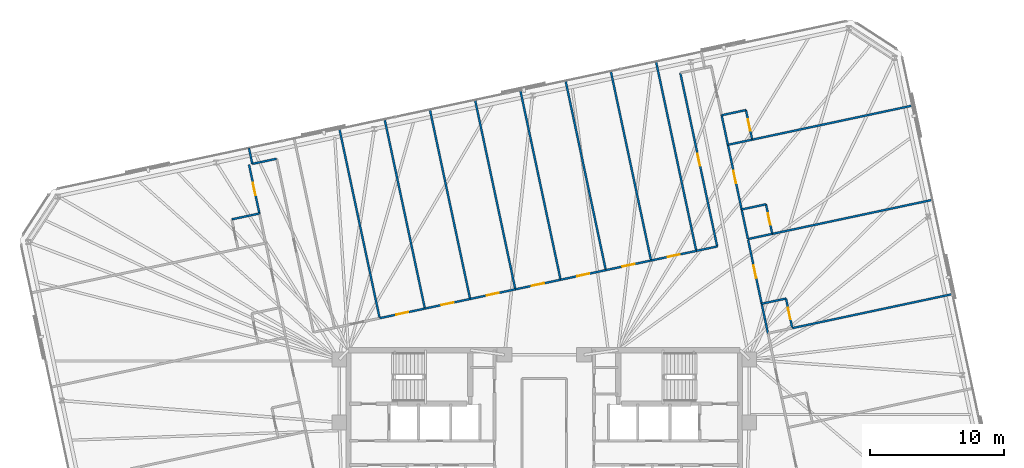
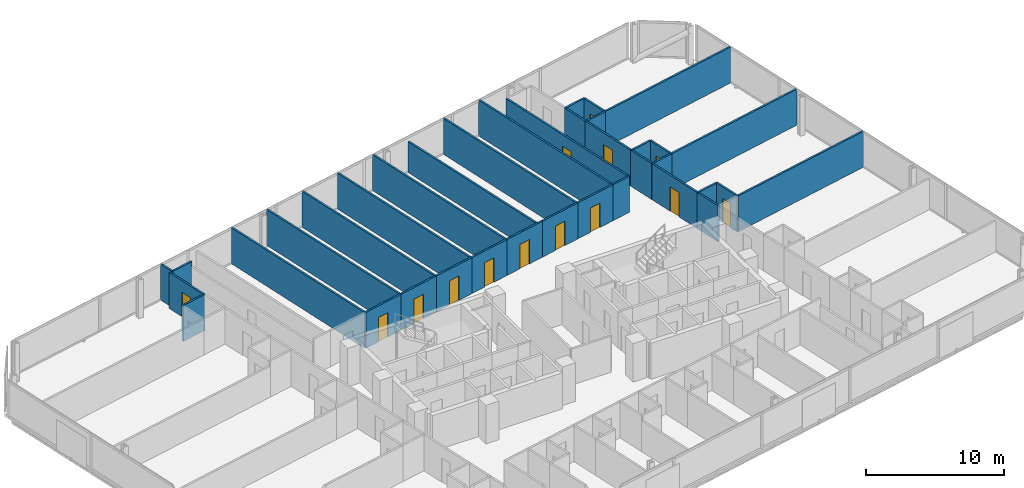
# One storey, part 18 of 21: 37 walls, 14 doors, 14 openings.
"""IFC4 building model written with IfcOpenShell, lengths in metres."""

from ifc_helpers import new_model, si_unit, direction, frame, frame_2d, origin, place, context, subcontext, project, spatial, rectangle, extrude, material, layer, layer_set, type_object, element, fill, save


model = new_model("IFC4")

# Units and contexts
model_context = context("Model", 3, precision=1e-05, world=origin(), true_north=direction((0.0, 1.0)))
body_context = subcontext(model_context, "Body", "Model", "MODEL_VIEW")
ifc_project = project(units=[si_unit("LENGTHUNIT", "METRE"), si_unit("AREAUNIT", "SQUARE_METRE"), si_unit("VOLUMEUNIT", "CUBIC_METRE"), si_unit("PLANEANGLEUNIT", "RADIAN"), si_unit("MASSUNIT", "GRAM", prefix="KILO")], contexts=[model_context])

# Site, building, storey
site_placement = place(None, origin())
site = spatial("IfcSite", under=ifc_project, at=site_placement, CompositionType="ELEMENT")
building_placement = place(site_placement, origin())
building = spatial("IfcBuilding", under=site, at=building_placement, Name="Menara Jurai Vektor", CompositionType="ELEMENT")
storey_placement = place(building_placement, frame((0.0, 0.0, 168.39990234375)))
storey = spatial("IfcBuildingStorey", under=building, at=storey_placement, Name="L43", CompositionType="ELEMENT", Elevation=168.39990234375)

# Wall
ifc_material_1 = material(Name="Gypsum Fireboard Partition", Category="gypsum")
ifc_layer_1 = layer(ifc_material_1, 0.14990234375)
ifc_layer_set_1 = layer_set([ifc_layer_1], Name="Gypsum Fireboard Partition")
wall_type_1 = type_object("IfcWallType", Name="INT-WALL-CORR-150", PredefinedType="PARTITIONING", material=ifc_layer_set_1)
wall_1_placement = place(storey_placement, frame((-21.71533203125, 19.447998046875, 0.0), z_axis=(0.0, 0.0, 1.0), x_axis=(0.978160192495, 0.207852442415, 0.0)))
element("IfcWall", 1, at=wall_1_placement, inside=storey, type_object=wall_type_1, Name="Interior Wall IW-150 L43", PredefinedType="PARTITIONING", context=body_context, shape_type="SweptSolid", body=[
    extrude(rectangle(XDim=1.849853515625, YDim=0.14990234375, at=frame_2d((0.9248046875, 0.0))), origin(), (0.0, 0.0, 1.0), 3.175048828125),
])

# Wall, opening, door
wall_2_placement = place(storey_placement, frame((-12.243408203125, 7.971435546875, 0.0), z_axis=(0.0, 0.0, 1.0), x_axis=(0.978144956759, 0.207924129352, 0.0)))
wall_2 = element("IfcWall", 2, at=wall_2_placement, inside=storey, type_object=wall_type_1, Name="Interior Wall IW-150 L43", PredefinedType="PARTITIONING", context=body_context, shape_type="SweptSolid", body=[
    extrude(rectangle(XDim=3.439208984375, YDim=0.14990234375, at=frame_2d((1.7197265625, 0.0))), origin(), (0.0, 0.0, 1.0), 3.175048828125),
])
opening_1_placement = place(wall_2_placement, frame((1.259521484375, 0.0, 0.0)))
opening_1 = element("IfcOpeningElement", 3, at=opening_1_placement, cuts=wall_2, Name="Opening D43-09", PredefinedType="OPENING", context=body_context, shape_type="SweptSolid", body=[
    extrude(rectangle(XDim=0.919921875, YDim=2.14990234375, at=frame_2d((0.4599609375, 1.074951171875))), frame((0.0, 0.0849609375, 0.0), z_axis=(0.0, -1.0, 0.0), x_axis=(1.0, 0.0, 0.0)), (0.0, 0.0, 1.0), 0.169921875),
])
ifc_material_2 = material(Name="Solid Core Timber Fire Door", Category="wood")
door_type_1 = type_object("IfcDoorType", Name="DR-ENTRY-950", OperationType="NOTDEFINED", PredefinedType="DOOR", material=ifc_material_2)
door_1_placement = place(opening_1_placement, origin())
door_1 = element("IfcDoor", 4, at=door_1_placement, inside=storey, type_object=door_type_1, Name="Interior Door D43-09", OperationType="SINGLE_SWING_RIGHT", OverallHeight=2.14990234375, OverallWidth=0.919921875, PredefinedType="DOOR", context=body_context, shape_type="SweptSolid", body=[
    extrude(rectangle(XDim=0.919921875, YDim=2.14990234375, at=frame_2d((0.4599609375, 1.074951171875))), frame((0.0, 0.02490234375, 0.0), z_axis=(0.0, -1.0, 0.0), x_axis=(1.0, 0.0, 0.0)), (0.0, 0.0, 1.0), 0.050048828125),
])
fill(opening_1, door_1)

wall_3_placement = place(storey_placement, frame((-8.87939453125, 8.6865234375, 0.0), z_axis=(0.0, 0.0, 1.0), x_axis=(0.978154160849, 0.207880825506, 0.0)))
wall_3 = element("IfcWall", 5, at=wall_3_placement, inside=storey, type_object=wall_type_1, Name="Interior Wall IW-150 L43", PredefinedType="PARTITIONING", context=body_context, shape_type="SweptSolid", body=[
    extrude(rectangle(XDim=3.43994140625, YDim=0.14990234375, at=frame_2d((1.719970703125, 0.0))), origin(), (0.0, 0.0, 1.0), 3.175048828125),
])
opening_2_placement = place(wall_3_placement, frame((1.260009765625, 0.0, 0.0)))
opening_2 = element("IfcOpeningElement", 6, at=opening_2_placement, cuts=wall_3, Name="Opening D43-10", PredefinedType="OPENING", context=body_context, shape_type="SweptSolid", body=[
    extrude(rectangle(XDim=0.919921875, YDim=2.14990234375, at=frame_2d((0.4599609375, 1.074951171875))), frame((0.0, 0.0849609375, 0.0), z_axis=(0.0, -1.0, 0.0), x_axis=(1.0, 0.0, 0.0)), (0.0, 0.0, 1.0), 0.169921875),
])
door_2_placement = place(opening_2_placement, origin())
door_2 = element("IfcDoor", 7, at=door_2_placement, inside=storey, type_object=door_type_1, Name="Interior Door D43-10", OperationType="SINGLE_SWING_LEFT", OverallHeight=2.14990234375, OverallWidth=0.919921875, PredefinedType="DOOR", context=body_context, shape_type="SweptSolid", body=[
    extrude(rectangle(XDim=0.919921875, YDim=2.14990234375, at=frame_2d((0.4599609375, 1.074951171875))), frame((0.0, 0.02490234375, 0.0), z_axis=(0.0, -1.0, 0.0), x_axis=(1.0, 0.0, 0.0)), (0.0, 0.0, 1.0), 0.050048828125),
])
fill(opening_2, door_2)

wall_4_placement = place(storey_placement, frame((-5.5146484375, 9.401611328125, 0.0), z_axis=(0.0, 0.0, 1.0), x_axis=(0.978141887451, 0.207938567887, 0.0)))
wall_4 = element("IfcWall", 8, at=wall_4_placement, inside=storey, type_object=wall_type_1, Name="Interior Wall IW-150 L43", PredefinedType="PARTITIONING", context=body_context, shape_type="SweptSolid", body=[
    extrude(rectangle(XDim=3.43896484375, YDim=0.14990234375, at=frame_2d((1.719482421875, 0.0))), origin(), (0.0, 0.0, 1.0), 3.175048828125),
])
opening_3_placement = place(wall_4_placement, frame((1.259521484375, 0.0, 0.0)))
opening_3 = element("IfcOpeningElement", 9, at=opening_3_placement, cuts=wall_4, Name="Opening D43-11", PredefinedType="OPENING", context=body_context, shape_type="SweptSolid", body=[
    extrude(rectangle(XDim=0.919921875, YDim=2.14990234375, at=frame_2d((0.4599609375, 1.074951171875))), frame((0.0, 0.0849609375, 0.0), z_axis=(0.0, -1.0, 0.0), x_axis=(1.0, 0.0, 0.0)), (0.0, 0.0, 1.0), 0.169921875),
])
door_3_placement = place(opening_3_placement, origin())
door_3 = element("IfcDoor", 10, at=door_3_placement, inside=storey, type_object=door_type_1, Name="Interior Door D43-11", OperationType="SINGLE_SWING_RIGHT", OverallHeight=2.14990234375, OverallWidth=0.919921875, PredefinedType="DOOR", context=body_context, shape_type="SweptSolid", body=[
    extrude(rectangle(XDim=0.919921875, YDim=2.14990234375, at=frame_2d((0.4599609375, 1.074951171875))), frame((0.0, 0.02490234375, 0.0), z_axis=(0.0, -1.0, 0.0), x_axis=(1.0, 0.0, 0.0)), (0.0, 0.0, 1.0), 0.050048828125),
])
fill(opening_3, door_3)

wall_5_placement = place(storey_placement, frame((-2.15087890625, 10.11669921875, 0.0), z_axis=(0.0, 0.0, 1.0), x_axis=(0.978157227602, 0.207866394808, 0.0)))
wall_5 = element("IfcWall", 11, at=wall_5_placement, inside=storey, type_object=wall_type_1, Name="Interior Wall IW-150 L43", PredefinedType="PARTITIONING", context=body_context, shape_type="SweptSolid", body=[
    extrude(rectangle(XDim=3.440185546875, YDim=0.14990234375, at=frame_2d((1.72021484375, 0.0))), origin(), (0.0, 0.0, 1.0), 3.175048828125),
])
opening_4_placement = place(wall_5_placement, frame((1.260009765625, 0.0, 0.0)))
opening_4 = element("IfcOpeningElement", 12, at=opening_4_placement, cuts=wall_5, Name="Opening D43-12", PredefinedType="OPENING", context=body_context, shape_type="SweptSolid", body=[
    extrude(rectangle(XDim=0.919921875, YDim=2.14990234375, at=frame_2d((0.4599609375, 1.074951171875))), frame((0.0, 0.0849609375, 0.0), z_axis=(0.0, -1.0, 0.0), x_axis=(1.0, 0.0, 0.0)), (0.0, 0.0, 1.0), 0.169921875),
])
door_4_placement = place(opening_4_placement, origin())
door_4 = element("IfcDoor", 13, at=door_4_placement, inside=storey, type_object=door_type_1, Name="Interior Door D43-12", OperationType="SINGLE_SWING_LEFT", OverallHeight=2.14990234375, OverallWidth=0.919921875, PredefinedType="DOOR", context=body_context, shape_type="SweptSolid", body=[
    extrude(rectangle(XDim=0.919921875, YDim=2.14990234375, at=frame_2d((0.4599609375, 1.074951171875))), frame((0.0, 0.02490234375, 0.0), z_axis=(0.0, -1.0, 0.0), x_axis=(1.0, 0.0, 0.0)), (0.0, 0.0, 1.0), 0.050048828125),
])
fill(opening_4, door_4)

wall_6_placement = place(storey_placement, frame((1.214111328125, 10.831787109375, 0.0), z_axis=(0.0, 0.0, 1.0), x_axis=(0.978141887451, 0.207938567887, 0.0)))
wall_6 = element("IfcWall", 14, at=wall_6_placement, inside=storey, type_object=wall_type_1, Name="Interior Wall IW-150 L43", PredefinedType="PARTITIONING", context=body_context, shape_type="SweptSolid", body=[
    extrude(rectangle(XDim=3.43896484375, YDim=0.14990234375, at=frame_2d((1.719482421875, 0.0))), origin(), (0.0, 0.0, 1.0), 3.175048828125),
])
opening_5_placement = place(wall_6_placement, frame((1.259521484375, 0.0, 0.0)))
opening_5 = element("IfcOpeningElement", 15, at=opening_5_placement, cuts=wall_6, Name="Opening D43-13", PredefinedType="OPENING", context=body_context, shape_type="SweptSolid", body=[
    extrude(rectangle(XDim=0.919921875, YDim=2.14990234375, at=frame_2d((0.4599609375, 1.074951171875))), frame((0.0, 0.0849609375, 0.0), z_axis=(0.0, -1.0, 0.0), x_axis=(1.0, 0.0, 0.0)), (0.0, 0.0, 1.0), 0.169921875),
])
door_5_placement = place(opening_5_placement, origin())
door_5 = element("IfcDoor", 16, at=door_5_placement, inside=storey, type_object=door_type_1, Name="Interior Door D43-13", OperationType="SINGLE_SWING_RIGHT", OverallHeight=2.14990234375, OverallWidth=0.919921875, PredefinedType="DOOR", context=body_context, shape_type="SweptSolid", body=[
    extrude(rectangle(XDim=0.919921875, YDim=2.14990234375, at=frame_2d((0.4599609375, 1.074951171875))), frame((0.0, 0.02490234375, 0.0), z_axis=(0.0, -1.0, 0.0), x_axis=(1.0, 0.0, 0.0)), (0.0, 0.0, 1.0), 0.050048828125),
])
fill(opening_5, door_5)

wall_7_placement = place(storey_placement, frame((4.577880859375, 11.546875, 0.0), z_axis=(0.0, 0.0, 1.0), x_axis=(0.978139727028, 0.207948730242, 0.0)))
wall_7 = element("IfcWall", 17, at=wall_7_placement, inside=storey, type_object=wall_type_1, Name="Interior Wall IW-150 L43", PredefinedType="PARTITIONING", context=body_context, shape_type="SweptSolid", body=[
    extrude(rectangle(XDim=3.43994140625, YDim=0.14990234375, at=frame_2d((1.719970703125, 0.0))), origin(), (0.0, 0.0, 1.0), 3.175048828125),
])
opening_6_placement = place(wall_7_placement, frame((1.260009765625, 0.0, 0.0)))
opening_6 = element("IfcOpeningElement", 18, at=opening_6_placement, cuts=wall_7, Name="Opening D43-14", PredefinedType="OPENING", context=body_context, shape_type="SweptSolid", body=[
    extrude(rectangle(XDim=0.919921875, YDim=2.14990234375, at=frame_2d((0.4599609375, 1.074951171875))), frame((0.0, 0.0849609375, 0.0), z_axis=(0.0, -1.0, 0.0), x_axis=(1.0, 0.0, 0.0)), (0.0, 0.0, 1.0), 0.169921875),
])
door_6_placement = place(opening_6_placement, origin())
door_6 = element("IfcDoor", 19, at=door_6_placement, inside=storey, type_object=door_type_1, Name="Interior Door D43-14", OperationType="SINGLE_SWING_LEFT", OverallHeight=2.14990234375, OverallWidth=0.919921875, PredefinedType="DOOR", context=body_context, shape_type="SweptSolid", body=[
    extrude(rectangle(XDim=0.919921875, YDim=2.14990234375, at=frame_2d((0.4599609375, 1.074951171875))), frame((0.0, 0.02490234375, 0.0), z_axis=(0.0, -1.0, 0.0), x_axis=(1.0, 0.0, 0.0)), (0.0, 0.0, 1.0), 0.050048828125),
])
fill(opening_6, door_6)

wall_8_placement = place(storey_placement, frame((7.942626953125, 12.26220703125, 0.0), z_axis=(0.0, 0.0, 1.0), x_axis=(0.978144956759, 0.207924129352, 0.0)))
wall_8 = element("IfcWall", 20, at=wall_8_placement, inside=storey, type_object=wall_type_1, Name="Interior Wall IW-150 L43", PredefinedType="PARTITIONING", context=body_context, shape_type="SweptSolid", body=[
    extrude(rectangle(XDim=3.439208984375, YDim=0.14990234375, at=frame_2d((1.7197265625, 0.0))), origin(), (0.0, 0.0, 1.0), 3.175048828125),
])
opening_7_placement = place(wall_8_placement, frame((1.259521484375, 0.0, 0.0)))
opening_7 = element("IfcOpeningElement", 21, at=opening_7_placement, cuts=wall_8, Name="Opening D43-15", PredefinedType="OPENING", context=body_context, shape_type="SweptSolid", body=[
    extrude(rectangle(XDim=0.919921875, YDim=2.14990234375, at=frame_2d((0.4599609375, 1.074951171875))), frame((0.0, 0.0849609375, 0.0), z_axis=(0.0, -1.0, 0.0), x_axis=(1.0, 0.0, 0.0)), (0.0, 0.0, 1.0), 0.169921875),
])
door_7_placement = place(opening_7_placement, origin())
door_7 = element("IfcDoor", 22, at=door_7_placement, inside=storey, type_object=door_type_1, Name="Interior Door D43-15", OperationType="SINGLE_SWING_RIGHT", OverallHeight=2.14990234375, OverallWidth=0.919921875, PredefinedType="DOOR", context=body_context, shape_type="SweptSolid", body=[
    extrude(rectangle(XDim=0.919921875, YDim=2.14990234375, at=frame_2d((0.4599609375, 1.074951171875))), frame((0.0, 0.02490234375, 0.0), z_axis=(0.0, -1.0, 0.0), x_axis=(1.0, 0.0, 0.0)), (0.0, 0.0, 1.0), 0.050048828125),
])
fill(opening_7, door_7)

# Wall
wall_9_placement = place(storey_placement, frame((11.306640625, 12.977294921875, 0.0), z_axis=(0.0, 0.0, 1.0), x_axis=(0.97817836016, 0.20776692642, 0.0)))
element("IfcWall", 23, at=wall_9_placement, inside=storey, type_object=wall_type_1, Name="Interior Wall IW-150 L43", PredefinedType="PARTITIONING", context=body_context, shape_type="SweptSolid", body=[
    extrude(rectangle(XDim=1.58984375, YDim=0.14990234375, at=frame_2d((0.794921875, 0.0))), origin(), (0.0, 0.0, 1.0), 3.175048828125),
])

# Wall, opening, door
wall_10_placement = place(storey_placement, frame((12.86181640625, 13.3076171875, 0.0), z_axis=(0.0, 0.0, 1.0), x_axis=(-0.207911421929, 0.978147657888, 0.0)))
wall_10 = element("IfcWall", 24, at=wall_10_placement, inside=storey, type_object=wall_type_1, Name="Interior Wall IW-150 L43", PredefinedType="PARTITIONING", context=body_context, shape_type="SweptSolid", body=[
    extrude(rectangle(XDim=13.195068359375, YDim=0.14990234375, at=frame_2d((6.59765625, 0.0))), origin(), (0.0, 0.0, 1.0), 3.175048828125),
])
opening_8_placement = place(wall_10_placement, frame((6.137451171875, 0.0, 0.0)))
opening_8 = element("IfcOpeningElement", 25, at=opening_8_placement, cuts=wall_10, Name="Opening D43-16", PredefinedType="OPENING", context=body_context, shape_type="SweptSolid", body=[
    extrude(rectangle(XDim=0.919921875, YDim=2.14990234375, at=frame_2d((0.4599609375, 1.074951171875))), frame((0.0, 0.0849609375, 0.0), z_axis=(0.0, -1.0, 0.0), x_axis=(1.0, 0.0, 0.0)), (0.0, 0.0, 1.0), 0.169921875),
])
door_8_placement = place(opening_8_placement, origin())
door_8 = element("IfcDoor", 26, at=door_8_placement, inside=storey, type_object=door_type_1, Name="Interior Door D43-16", OperationType="SINGLE_SWING_LEFT", OverallHeight=2.14990234375, OverallWidth=0.919921875, PredefinedType="DOOR", context=body_context, shape_type="SweptSolid", body=[
    extrude(rectangle(XDim=0.919921875, YDim=2.14990234375, at=frame_2d((0.4599609375, 1.074951171875))), frame((0.0, 0.02490234375, 0.0), z_axis=(0.0, -1.0, 0.0), x_axis=(1.0, 0.0, 0.0)), (0.0, 0.0, 1.0), 0.050048828125),
])
fill(opening_8, door_8)

wall_11_placement = place(storey_placement, frame((-21.18701171875, 15.76025390625, 0.0), z_axis=(0.0, 0.0, 1.0), x_axis=(-0.207949879289, 0.978139482745, 0.0)))
wall_11 = element("IfcWall", 27, at=wall_11_placement, inside=storey, type_object=wall_type_1, Name="Interior Wall IW-150 L43", PredefinedType="PARTITIONING", context=body_context, shape_type="SweptSolid", body=[
    extrude(rectangle(XDim=3.717041015625, YDim=0.14990234375, at=frame_2d((1.8583984375, 0.0))), origin(), (0.0, 0.0, 1.0), 3.175048828125),
])
opening_9_placement = place(wall_11_placement, frame((1.383544921875, 0.0, 0.0)))
opening_9 = element("IfcOpeningElement", 28, at=opening_9_placement, cuts=wall_11, Name="Opening D43-40", PredefinedType="OPENING", context=body_context, shape_type="SweptSolid", body=[
    extrude(rectangle(XDim=0.949951171875, YDim=2.14990234375, at=frame_2d((0.47509765625, 1.074951171875))), frame((0.0, 0.0849609375, 0.0), z_axis=(0.0, -1.0, 0.0), x_axis=(1.0, 0.0, 0.0)), (0.0, 0.0, 1.0), 0.169921875),
])
door_9_placement = place(opening_9_placement, origin())
door_9 = element("IfcDoor", 29, at=door_9_placement, inside=storey, type_object=door_type_1, Name="Interior Door D43-40", OperationType="SINGLE_SWING_LEFT", OverallHeight=2.14990234375, OverallWidth=0.949951171875, PredefinedType="DOOR", context=body_context, shape_type="SweptSolid", body=[
    extrude(rectangle(XDim=0.949951171875, YDim=2.14990234375, at=frame_2d((0.47509765625, 1.074951171875))), frame((0.0, 0.02490234375, 0.0), z_axis=(0.0, -1.0, 0.0), x_axis=(1.0, 0.0, 0.0)), (0.0, 0.0, 1.0), 0.050048828125),
])
fill(opening_9, door_9)

wall_12_placement = place(storey_placement, frame((16.169921875, 9.04736328125, 0.0), z_axis=(0.0, 0.0, 1.0), x_axis=(-0.20792851832, 0.978144023787, 0.0)))
wall_12 = element("IfcWall", 30, at=wall_12_placement, inside=storey, type_object=wall_type_1, Name="Interior Wall IW-150 L43", PredefinedType="PARTITIONING", context=body_context, shape_type="SweptSolid", body=[
    extrude(rectangle(XDim=4.855224609375, YDim=0.14990234375, at=frame_2d((2.427734375, 0.0))), origin(), (0.0, 0.0, 1.0), 3.175048828125),
])
opening_10_placement = place(wall_12_placement, frame((1.952392578125, 0.0, 0.0)))
opening_10 = element("IfcOpeningElement", 31, at=opening_10_placement, cuts=wall_12, Name="Opening D43-48", PredefinedType="OPENING", context=body_context, shape_type="SweptSolid", body=[
    extrude(rectangle(XDim=0.949951171875, YDim=2.14990234375, at=frame_2d((0.47509765625, 1.074951171875))), frame((0.0, 0.0849609375, 0.0), z_axis=(0.0, -1.0, 0.0), x_axis=(1.0, 0.0, 0.0)), (0.0, 0.0, 1.0), 0.169921875),
])
door_10_placement = place(opening_10_placement, origin())
door_10 = element("IfcDoor", 32, at=door_10_placement, inside=storey, type_object=door_type_1, Name="Interior Door D43-48", OperationType="SINGLE_SWING_LEFT", OverallHeight=2.14990234375, OverallWidth=0.949951171875, PredefinedType="DOOR", context=body_context, shape_type="SweptSolid", body=[
    extrude(rectangle(XDim=0.949951171875, YDim=2.14990234375, at=frame_2d((0.47509765625, 1.074951171875))), frame((0.0, 0.02490234375, 0.0), z_axis=(0.0, -1.0, 0.0), x_axis=(1.0, 0.0, 0.0)), (0.0, 0.0, 1.0), 0.050048828125),
])
fill(opening_10, door_10)

# Wall
wall_13_placement = place(storey_placement, frame((16.6376953125, 6.8466796875, 0.0), z_axis=(0.0, 0.0, 1.0), x_axis=(-0.207913264065, 0.978147266328, 0.0)))
element("IfcWall", 33, at=wall_13_placement, inside=storey, type_object=wall_type_1, Name="Interior Wall IW-150 L43", PredefinedType="PARTITIONING", context=body_context, shape_type="SweptSolid", body=[
    extrude(rectangle(XDim=2.249755859375, YDim=0.14990234375, at=frame_2d((1.125, 0.0))), origin(), (0.0, 0.0, 1.0), 3.175048828125),
])

# Wall, opening, door
wall_14_placement = place(storey_placement, frame((14.6796875, 16.057861328125, 0.0), z_axis=(0.0, 0.0, 1.0), x_axis=(-0.207887265829, 0.978152792107, 0.0)))
wall_14 = element("IfcWall", 34, at=wall_14_placement, inside=storey, type_object=wall_type_1, Name="Interior Wall IW-150 L43", PredefinedType="PARTITIONING", context=body_context, shape_type="SweptSolid", body=[
    extrude(rectangle(XDim=4.916015625, YDim=0.14990234375, at=frame_2d((2.4580078125, 0.0))), origin(), (0.0, 0.0, 1.0), 3.175048828125),
])
opening_11_placement = place(wall_14_placement, frame((1.98291015625, 0.0, 0.0)))
opening_11 = element("IfcOpeningElement", 35, at=opening_11_placement, cuts=wall_14, Name="Opening D43-50", PredefinedType="OPENING", context=body_context, shape_type="SweptSolid", body=[
    extrude(rectangle(XDim=0.949951171875, YDim=2.14990234375, at=frame_2d((0.47509765625, 1.074951171875))), frame((0.0, 0.0849609375, 0.0), z_axis=(0.0, -1.0, 0.0), x_axis=(1.0, 0.0, 0.0)), (0.0, 0.0, 1.0), 0.169921875),
])
door_11_placement = place(opening_11_placement, origin())
door_11 = element("IfcDoor", 36, at=door_11_placement, inside=storey, type_object=door_type_1, Name="Interior Door D43-50", OperationType="SINGLE_SWING_LEFT", OverallHeight=2.14990234375, OverallWidth=0.949951171875, PredefinedType="DOOR", context=body_context, shape_type="SweptSolid", body=[
    extrude(rectangle(XDim=0.949951171875, YDim=2.14990234375, at=frame_2d((0.47509765625, 1.074951171875))), frame((0.0, 0.02490234375, 0.0), z_axis=(0.0, -1.0, 0.0), x_axis=(1.0, 0.0, 0.0)), (0.0, 0.0, 1.0), 0.050048828125),
])
fill(opening_11, door_11)

# Walls
wall_15_placement = place(storey_placement, frame((15.147705078125, 13.85693359375, 0.0), z_axis=(0.0, 0.0, 1.0), x_axis=(-0.207995007687, 0.978129887478, 0.0)))
element("IfcWall", 37, at=wall_15_placement, inside=storey, type_object=wall_type_1, Name="Interior Wall IW-150 L43", PredefinedType="PARTITIONING", context=body_context, shape_type="SweptSolid", body=[
    extrude(rectangle(XDim=2.250244140625, YDim=0.14990234375, at=frame_2d((1.125, 0.0))), origin(), (0.0, 0.0, 1.0), 3.175048828125),
])
wall_16_placement = place(storey_placement, frame((13.65771484375, 20.866455078125, 0.0), z_axis=(0.0, 0.0, 1.0), x_axis=(-0.207913264065, 0.978147266328, 0.0)))
element("IfcWall", 38, at=wall_16_placement, inside=storey, type_object=wall_type_1, Name="Interior Wall IW-150 L43", PredefinedType="PARTITIONING", context=body_context, shape_type="SweptSolid", body=[
    extrude(rectangle(XDim=2.249755859375, YDim=0.14990234375, at=frame_2d((1.125, 0.0))), origin(), (0.0, 0.0, 1.0), 3.175048828125),
])
wall_17_placement = place(storey_placement, frame((-21.71533203125, 19.447998046875, 0.0), z_axis=(0.0, 0.0, 1.0), x_axis=(-0.20795853359, 0.978137642823, 0.0)))
element("IfcWall", 39, at=wall_17_placement, inside=storey, type_object=wall_type_1, Name="Interior Wall IW-150 L43", PredefinedType="PARTITIONING", context=body_context, shape_type="SweptSolid", body=[
    extrude(rectangle(XDim=1.19970703125, YDim=0.14990234375, at=frame_2d((0.599853515625, 0.0))), origin(), (0.0, 0.0, 1.0), 3.175048828125),
])
wall_18_placement = place(storey_placement, frame((-12.243408203125, 7.971435546875, 0.0), z_axis=(0.0, 0.0, 1.0), x_axis=(-0.207895672639, 0.978151005366, 0.0)))
element("IfcWall", 40, at=wall_18_placement, inside=storey, type_object=wall_type_1, Name="Interior Wall IW-150 L43", PredefinedType="PARTITIONING", context=body_context, shape_type="SweptSolid", body=[
    extrude(rectangle(XDim=14.39501953125, YDim=0.14990234375, at=frame_2d((7.197509765625, 0.0))), origin(), (0.0, 0.0, 1.0), 3.175048828125),
])
wall_19_placement = place(storey_placement, frame((-8.87939453125, 8.6865234375, 0.0), z_axis=(0.0, 0.0, 1.0), x_axis=(-0.207915348705, 0.978146823219, 0.0)))
element("IfcWall", 41, at=wall_19_placement, inside=storey, type_object=wall_type_1, Name="Interior Wall IW-150 L43", PredefinedType="PARTITIONING", context=body_context, shape_type="SweptSolid", body=[
    extrude(rectangle(XDim=14.394775390625, YDim=0.14990234375, at=frame_2d((7.197265625, 0.0))), origin(), (0.0, 0.0, 1.0), 3.175048828125),
])
wall_20_placement = place(storey_placement, frame((-5.5146484375, 9.401611328125, 0.0), z_axis=(0.0, 0.0, 1.0), x_axis=(-0.207911899531, 0.97814755637, 0.0)))
element("IfcWall", 42, at=wall_20_placement, inside=storey, type_object=wall_type_1, Name="Interior Wall IW-150 L43", PredefinedType="PARTITIONING", context=body_context, shape_type="SweptSolid", body=[
    extrude(rectangle(XDim=14.39501953125, YDim=0.14990234375, at=frame_2d((7.197509765625, 0.0))), origin(), (0.0, 0.0, 1.0), 3.175048828125),
])
wall_21_placement = place(storey_placement, frame((-2.15087890625, 10.11669921875, 0.0), z_axis=(0.0, 0.0, 1.0), x_axis=(-0.207915348705, 0.978146823219, 0.0)))
element("IfcWall", 43, at=wall_21_placement, inside=storey, type_object=wall_type_1, Name="Interior Wall IW-150 L43", PredefinedType="PARTITIONING", context=body_context, shape_type="SweptSolid", body=[
    extrude(rectangle(XDim=14.394775390625, YDim=0.14990234375, at=frame_2d((7.197265625, 0.0))), origin(), (0.0, 0.0, 1.0), 3.175048828125),
])
wall_22_placement = place(storey_placement, frame((1.214111328125, 10.831787109375, 0.0), z_axis=(0.0, 0.0, 1.0), x_axis=(-0.207911899531, 0.97814755637, 0.0)))
element("IfcWall", 44, at=wall_22_placement, inside=storey, type_object=wall_type_1, Name="Interior Wall IW-150 L43", PredefinedType="PARTITIONING", context=body_context, shape_type="SweptSolid", body=[
    extrude(rectangle(XDim=14.39501953125, YDim=0.14990234375, at=frame_2d((7.197509765625, 0.0))), origin(), (0.0, 0.0, 1.0), 3.175048828125),
])
for number, where, z_axis, x_axis, name in (
    (45, (7.942626953125, 12.26220703125, 0.0), (0.0, 0.0, 1.0), (-0.207915348705, 0.978146823219, 0.0), "Interior Wall IW-150 L43"),
    (46, (11.306640625, 12.977294921875, 0.0), (0.0, 0.0, 1.0), (-0.207915348705, 0.978146823219, 0.0), "Interior Wall IW-150 L43"),
):
    element("IfcWall", number, at=place(storey_placement, frame(where, z_axis=z_axis, x_axis=x_axis)), inside=storey, type_object=wall_type_1, Name=name, PredefinedType="PARTITIONING", context=body_context, shape_type="SweptSolid", body=[
        extrude(rectangle(XDim=14.394775390625, YDim=0.14990234375, at=frame_2d((7.197265625, 0.0))), origin(), (0.0, 0.0, 1.0), 3.175048828125),
    ])
wall_23_placement = place(storey_placement, frame((-23.2412109375, 15.323486328125, 0.0), z_axis=(0.0, 0.0, 1.0), x_axis=(0.978134617382, 0.207972763311, 0.0)))
element("IfcWall", 47, at=wall_23_placement, inside=storey, type_object=wall_type_1, Name="Interior Wall IW-150 L43", PredefinedType="PARTITIONING", context=body_context, shape_type="SweptSolid", body=[
    extrude(rectangle(XDim=2.10009765625, YDim=0.14990234375, at=frame_2d((1.050048828125, 0.0))), origin(), (0.0, 0.0, 1.0), 3.175048828125),
])
wall_24_placement = place(storey_placement, frame((18.447265625, 7.231201171875, 0.0), z_axis=(0.0, 0.0, 1.0), x_axis=(0.978149634612, 0.207902121941, 0.0)))
element("IfcWall", 48, at=wall_24_placement, inside=storey, type_object=wall_type_1, Name="Interior Wall IW-150 L43", PredefinedType="PARTITIONING", context=body_context, shape_type="SweptSolid", body=[
    extrude(rectangle(XDim=12.18701171875, YDim=0.14990234375, at=frame_2d((6.093505859375, 0.0))), origin(), (0.0, 0.0, 1.0), 3.175048828125),
])
wall_25_placement = place(storey_placement, frame((16.169921875, 9.04736328125, 0.0), z_axis=(0.0, 0.0, 1.0), x_axis=(0.978133353907, 0.20797870558, 0.0)))
element("IfcWall", 49, at=wall_25_placement, inside=storey, type_object=wall_type_1, Name="Interior Wall IW-150 L43", PredefinedType="PARTITIONING", context=body_context, shape_type="SweptSolid", body=[
    extrude(rectangle(XDim=1.85009765625, YDim=0.14990234375, at=frame_2d((0.925048828125, 0.0))), origin(), (0.0, 0.0, 1.0), 3.175048828125),
])

# Wall, opening, door
wall_26_placement = place(storey_placement, frame((18.447265625, 7.231201171875, 0.0), z_axis=(0.0, 0.0, 1.0), x_axis=(-0.207891197838, 0.978151956427, 0.0)))
wall_26 = element("IfcWall", 50, at=wall_26_placement, inside=storey, type_object=wall_type_1, Name="Interior Wall IW-150 L43", PredefinedType="PARTITIONING", context=body_context, shape_type="SweptSolid", body=[
    extrude(rectangle(XDim=2.25, YDim=0.14990234375, at=frame_2d((1.125, 0.0))), origin(), (0.0, 0.0, 1.0), 3.175048828125),
])
opening_12_placement = place(wall_26_placement, frame((0.68505859375, 0.0, 0.0)))
opening_12 = element("IfcOpeningElement", 51, at=opening_12_placement, cuts=wall_26, Name="Opening D43-49", PredefinedType="OPENING", context=body_context, shape_type="SweptSolid", body=[
    extrude(rectangle(XDim=0.8798828125, YDim=2.14990234375, at=frame_2d((0.43994140625, 1.074951171875))), frame((0.0, 0.0849609375, 0.0), z_axis=(0.0, -1.0, 0.0), x_axis=(1.0, 0.0, 0.0)), (0.0, 0.0, 1.0), 0.169921875),
])
ifc_material_3 = material(Name="Moisture-Resistant Timber Door", Category="wood")
door_type_2 = type_object("IfcDoorType", Name="DR-BATH-880", OperationType="NOTDEFINED", PredefinedType="DOOR", material=ifc_material_3)
door_12_placement = place(opening_12_placement, origin())
door_12 = element("IfcDoor", 52, at=door_12_placement, inside=storey, type_object=door_type_2, Name="Interior Door D43-49", OperationType="SINGLE_SWING_RIGHT", OverallHeight=2.14990234375, OverallWidth=0.8798828125, PredefinedType="DOOR", context=body_context, shape_type="SweptSolid", body=[
    extrude(rectangle(XDim=0.8798828125, YDim=2.14990234375, at=frame_2d((0.43994140625, 1.074951171875))), frame((0.0, 0.02490234375, 0.0), z_axis=(0.0, -1.0, 0.0), x_axis=(1.0, 0.0, 0.0)), (0.0, 0.0, 1.0), 0.050048828125),
])
fill(opening_12, door_12)

# Walls
wall_27_placement = place(storey_placement, frame((16.957275390625, 14.24169921875, 0.0), z_axis=(0.0, 0.0, 1.0), x_axis=(0.978148768696, 0.207906195911, 0.0)))
element("IfcWall", 53, at=wall_27_placement, inside=storey, type_object=wall_type_1, Name="Interior Wall IW-150 L43", PredefinedType="PARTITIONING", context=body_context, shape_type="SweptSolid", body=[
    extrude(rectangle(XDim=12.186767578125, YDim=0.14990234375, at=frame_2d((6.09326171875, 0.0))), origin(), (0.0, 0.0, 1.0), 3.175048828125),
])
for number, where, z_axis, x_axis, name in (
    (54, (15.147705078125, 13.85693359375, 0.0), (0.0, 0.0, 1.0), (0.978133353907, 0.20797870558, 0.0), "Interior Wall IW-150 L43"),
    (55, (14.6796875, 16.057861328125, 0.0), (0.0, 0.0, 1.0), (0.978165892835, 0.207825614625, 0.0), "Interior Wall IW-150 L43"),
):
    element("IfcWall", number, at=place(storey_placement, frame(where, z_axis=z_axis, x_axis=x_axis)), inside=storey, type_object=wall_type_1, Name=name, PredefinedType="PARTITIONING", context=body_context, shape_type="SweptSolid", body=[
        extrude(rectangle(XDim=1.85009765625, YDim=0.14990234375, at=frame_2d((0.925048828125, 0.0))), origin(), (0.0, 0.0, 1.0), 3.175048828125),
    ])

# Wall, opening, door
wall_28_placement = place(storey_placement, frame((16.957275390625, 14.24169921875, 0.0), z_axis=(0.0, 0.0, 1.0), x_axis=(-0.207913264065, 0.978147266328, 0.0)))
wall_28 = element("IfcWall", 56, at=wall_28_placement, inside=storey, type_object=wall_type_1, Name="Interior Wall IW-150 L43", PredefinedType="PARTITIONING", context=body_context, shape_type="SweptSolid", body=[
    extrude(rectangle(XDim=2.249755859375, YDim=0.14990234375, at=frame_2d((1.125, 0.0))), origin(), (0.0, 0.0, 1.0), 3.175048828125),
])
opening_13_placement = place(wall_28_placement, frame((0.68505859375, 0.0, 0.0)))
opening_13 = element("IfcOpeningElement", 57, at=opening_13_placement, cuts=wall_28, Name="Opening D43-51", PredefinedType="OPENING", context=body_context, shape_type="SweptSolid", body=[
    extrude(rectangle(XDim=0.8798828125, YDim=2.14990234375, at=frame_2d((0.43994140625, 1.074951171875))), frame((0.0, 0.0849609375, 0.0), z_axis=(0.0, -1.0, 0.0), x_axis=(1.0, 0.0, 0.0)), (0.0, 0.0, 1.0), 0.169921875),
])
door_13_placement = place(opening_13_placement, origin())
door_13 = element("IfcDoor", 58, at=door_13_placement, inside=storey, type_object=door_type_2, Name="Interior Door D43-51", OperationType="SINGLE_SWING_RIGHT", OverallHeight=2.14990234375, OverallWidth=0.8798828125, PredefinedType="DOOR", context=body_context, shape_type="SweptSolid", body=[
    extrude(rectangle(XDim=0.8798828125, YDim=2.14990234375, at=frame_2d((0.43994140625, 1.074951171875))), frame((0.0, 0.02490234375, 0.0), z_axis=(0.0, -1.0, 0.0), x_axis=(1.0, 0.0, 0.0)), (0.0, 0.0, 1.0), 0.050048828125),
])
fill(opening_13, door_13)

# Walls
wall_29_placement = place(storey_placement, frame((15.46728515625, 21.2509765625, 0.0), z_axis=(0.0, 0.0, 1.0), x_axis=(0.97814556055, 0.207921288896, 0.0)))
element("IfcWall", 59, at=wall_29_placement, inside=storey, type_object=wall_type_1, Name="Interior Wall IW-150 L43", PredefinedType="PARTITIONING", context=body_context, shape_type="SweptSolid", body=[
    extrude(rectangle(XDim=12.18701171875, YDim=0.14990234375, at=frame_2d((6.093505859375, 0.0))), origin(), (0.0, 0.0, 1.0), 3.175048828125),
])
wall_30_placement = place(storey_placement, frame((13.65771484375, 20.866455078125, 0.0), z_axis=(0.0, 0.0, 1.0), x_axis=(0.978160192495, 0.207852442415, 0.0)))
element("IfcWall", 60, at=wall_30_placement, inside=storey, type_object=wall_type_1, Name="Interior Wall IW-150 L43", PredefinedType="PARTITIONING", context=body_context, shape_type="SweptSolid", body=[
    extrude(rectangle(XDim=1.849853515625, YDim=0.14990234375, at=frame_2d((0.9248046875, 0.0))), origin(), (0.0, 0.0, 1.0), 3.175048828125),
])
wall_31_placement = place(storey_placement, frame((13.18994140625, 23.067138671875, 0.0), z_axis=(0.0, 0.0, 1.0), x_axis=(0.978133353907, 0.20797870558, 0.0)))
element("IfcWall", 61, at=wall_31_placement, inside=storey, type_object=wall_type_1, Name="Interior Wall IW-150 L43", PredefinedType="PARTITIONING", context=body_context, shape_type="SweptSolid", body=[
    extrude(rectangle(XDim=1.85009765625, YDim=0.14990234375, at=frame_2d((0.925048828125, 0.0))), origin(), (0.0, 0.0, 1.0), 3.175048828125),
])

# Wall, opening, door
wall_32_placement = place(storey_placement, frame((15.46728515625, 21.2509765625, 0.0), z_axis=(0.0, 0.0, 1.0), x_axis=(-0.207891197838, 0.978151956427, 0.0)))
wall_32 = element("IfcWall", 62, at=wall_32_placement, inside=storey, type_object=wall_type_1, Name="Interior Wall IW-150 L43", PredefinedType="PARTITIONING", context=body_context, shape_type="SweptSolid", body=[
    extrude(rectangle(XDim=2.25, YDim=0.14990234375, at=frame_2d((1.125, 0.0))), origin(), (0.0, 0.0, 1.0), 3.175048828125),
])
opening_14_placement = place(wall_32_placement, frame((0.68505859375, 0.0, 0.0)))
opening_14 = element("IfcOpeningElement", 63, at=opening_14_placement, cuts=wall_32, Name="Opening D43-53", PredefinedType="OPENING", context=body_context, shape_type="SweptSolid", body=[
    extrude(rectangle(XDim=0.8798828125, YDim=2.14990234375, at=frame_2d((0.43994140625, 1.074951171875))), frame((0.0, 0.0849609375, 0.0), z_axis=(0.0, -1.0, 0.0), x_axis=(1.0, 0.0, 0.0)), (0.0, 0.0, 1.0), 0.169921875),
])
door_14_placement = place(opening_14_placement, origin())
door_14 = element("IfcDoor", 64, at=door_14_placement, inside=storey, type_object=door_type_2, Name="Interior Door D43-53", OperationType="SINGLE_SWING_RIGHT", OverallHeight=2.14990234375, OverallWidth=0.8798828125, PredefinedType="DOOR", context=body_context, shape_type="SweptSolid", body=[
    extrude(rectangle(XDim=0.8798828125, YDim=2.14990234375, at=frame_2d((0.43994140625, 1.074951171875))), frame((0.0, 0.02490234375, 0.0), z_axis=(0.0, -1.0, 0.0), x_axis=(1.0, 0.0, 0.0)), (0.0, 0.0, 1.0), 0.050048828125),
])
fill(opening_14, door_14)

# Wall
ifc_layer_2 = layer(ifc_material_1, 0.14990234375)
ifc_layer_set_2 = layer_set([ifc_layer_2], Name="Gypsum Fireboard Partition")
wall_type_2 = type_object("IfcWallType", Name="INT-WALL-CORR-150-H1", PredefinedType="PARTITIONING", material=ifc_layer_set_2)
wall_33_placement = place(storey_placement, frame((4.577880859375, 11.546875, 0.0), z_axis=(0.0, 0.0, 1.0), x_axis=(-0.207911899531, 0.97814755637, 0.0)))
element("IfcWall", 65, at=wall_33_placement, inside=storey, type_object=wall_type_2, Name="Interior Wall IW-150 L43", PredefinedType="PARTITIONING", context=body_context, shape_type="SweptSolid", body=[
    extrude(rectangle(XDim=14.39501953125, YDim=0.14990234375, at=frame_2d((7.197509765625, 0.0))), origin(), (0.0, 0.0, 1.0), 2.72509765625),
])

save(model, "model.ifc")
